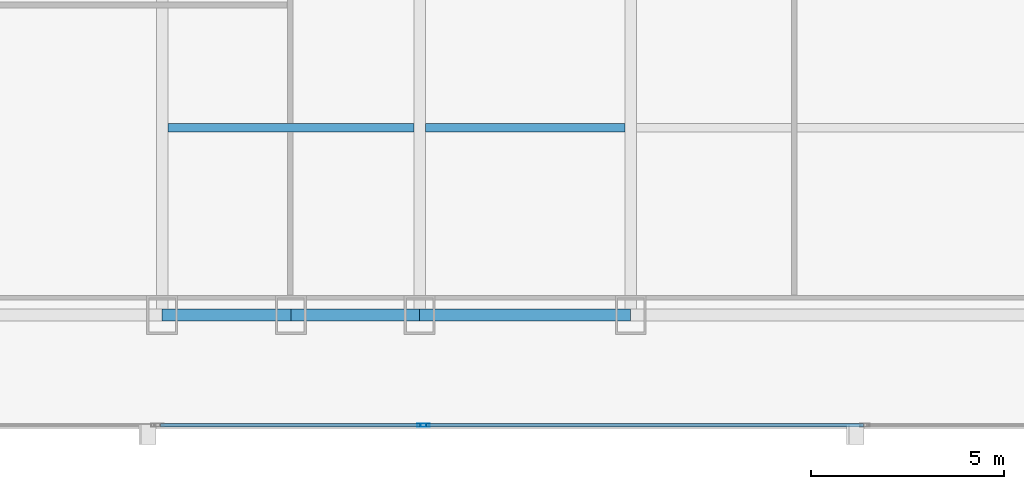
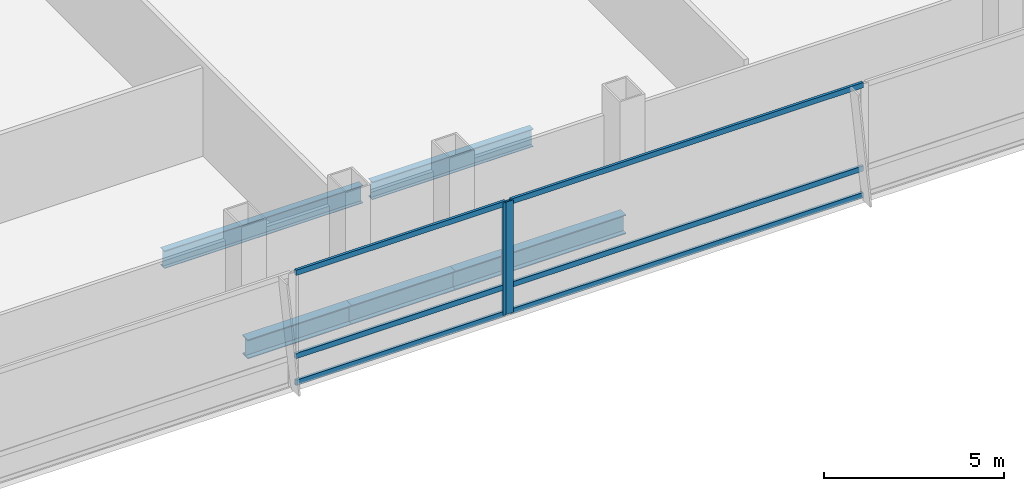
# One storey, part 8 of 35: 8 members, 5 beams, 2 elements without a shape of their own.
"""IFC4 building model written with IfcOpenShell, lengths in metres."""

from ifc_helpers import new_model, si_unit, direction, frame, origin, origin_2d, place, context, subcontext, project, spatial, hollow_rectangle, i_section, extrude, material, material_profile, profile_set, type_object, element, aggregate, save


model = new_model("IFC4")

# Units and contexts
model_context = context("Model", 3, precision=1e-05, world=origin(), true_north=direction((0.0, 1.0)))
body_context = subcontext(model_context, "Body", "Model", "MODEL_VIEW")
ifc_project = project(units=[si_unit("LENGTHUNIT", "METRE"), si_unit("AREAUNIT", "SQUARE_METRE"), si_unit("VOLUMEUNIT", "CUBIC_METRE"), si_unit("PLANEANGLEUNIT", "RADIAN"), si_unit("MASSUNIT", "GRAM", prefix="KILO")], contexts=[model_context])

# Site, building, storey
site_placement = place(None, origin())
site = spatial("IfcSite", under=ifc_project, at=site_placement, CompositionType="ELEMENT")
building_placement = place(site_placement, origin())
building = spatial("IfcBuilding", under=site, at=building_placement, Name="Khoronbel Lancet Exchange", CompositionType="ELEMENT")
storey_placement = place(building_placement, frame((0.0, 0.0, 53.800048828125)))
storey = spatial("IfcBuildingStorey", under=building, at=storey_placement, Name="L12", CompositionType="ELEMENT", Elevation=53.800048828125)

# Beams
ifc_material_1 = material(Name="Steel S355", Category="steel")
ifc_material_profile_1 = material_profile(ifc_material_1, i_section(OverallWidth=0.219970703125, OverallDepth=0.60009765625, WebThickness=0.011962890625, FlangeThickness=0.01904296875, at=origin_2d()), Name="IPE 600")
ifc_profile_set_1 = profile_set([ifc_material_profile_1], Name="Steel S355")
beam_type_1 = type_object("IfcBeamType", Name="BM-BJ1", PredefinedType="JOIST", material=ifc_profile_set_1)
beam_1_placement = place(storey_placement, frame((18.375, 15.0, -0.47998046875), z_axis=(1.0, 0.0, 0.0), x_axis=(0.0, 1.0, 0.0)))
element("IfcBeam", 1, at=beam_1_placement, inside=storey, type_object=beam_type_1, Name="Level L12 secondary composite joist J01", PredefinedType="JOIST", context=body_context, shape_type="SweptSolid", body=[
    extrude(i_section(OverallWidth=0.219970703125, OverallDepth=0.60009765625, WebThickness=0.011962890625, FlangeThickness=0.01904296875, at=origin_2d()), origin(), (0.0, 0.0, 1.0), 6.375),
])
beam_2_placement = place(storey_placement, frame((25.050048828125, 15.0, -0.47998046875), z_axis=(1.0, 0.0, 0.0), x_axis=(0.0, 1.0, 0.0)))
element("IfcBeam", 2, at=beam_2_placement, inside=storey, type_object=beam_type_1, Name="Level L12 secondary composite joist J02", PredefinedType="JOIST", context=body_context, shape_type="SweptSolid", body=[
    extrude(i_section(OverallWidth=0.219970703125, OverallDepth=0.60009765625, WebThickness=0.011962890625, FlangeThickness=0.01904296875, at=origin_2d()), origin(), (0.0, 0.0, 1.0), 5.175048828125),
])
ifc_material_profile_2 = material_profile(ifc_material_1, i_section(OverallWidth=0.300048828125, OverallDepth=0.64990234375, WebThickness=0.01611328125, FlangeThickness=0.031005859375, at=origin_2d()), Name="HEB 650")
ifc_profile_set_2 = profile_set([ifc_material_profile_2], Name="Steel S355")
beam_type_2 = type_object("IfcBeamType", Name="BM-BSP1", PredefinedType="SPANDREL", material=ifc_profile_set_2)
for number, where, z_axis, x_axis, name in (
    (3, (18.22509765625, 10.14990234375, -0.505126953125), (1.0, 0.0, 0.0), (0.0, 1.0, 0.0), "Level L12 perimeter spandrel beam SP02"),
    (4, (21.5625, 10.14990234375, -0.505126953125), (1.0, 0.0, 0.0), (0.0, 1.0, 0.0), "Level L12 perimeter spandrel beam SP03"),
):
    element("IfcBeam", number, at=place(storey_placement, frame(where, z_axis=z_axis, x_axis=x_axis)), inside=storey, type_object=beam_type_2, Name=name, PredefinedType="SPANDREL", context=body_context, shape_type="SweptSolid", body=[
        extrude(i_section(OverallWidth=0.300048828125, OverallDepth=0.64990234375, WebThickness=0.01611328125, FlangeThickness=0.031005859375, at=origin_2d()), origin(), (0.0, 0.0, 1.0), 3.33740234375),
    ])
beam_3_placement = place(storey_placement, frame((24.89990234375, 10.14990234375, -0.505126953125), z_axis=(1.0, 0.0, 0.0), x_axis=(0.0, 1.0, 0.0)))
element("IfcBeam", 5, at=beam_3_placement, inside=storey, type_object=beam_type_2, Name="Level L12 perimeter spandrel beam SP04", PredefinedType="SPANDREL", context=body_context, shape_type="SweptSolid", body=[
    extrude(i_section(OverallWidth=0.300048828125, OverallDepth=0.64990234375, WebThickness=0.01611328125, FlangeThickness=0.031005859375, at=origin_2d()), origin(), (0.0, 0.0, 1.0), 5.47509765625),
])

# Curtain wall, member
ifc_material_2 = material(Name="Low-E Solar Control Insulating Glass", Category="glass")
curtain_wall_type = type_object("IfcCurtainWallType", Name="CW-1", PredefinedType="NOTDEFINED", material=ifc_material_2)
curtain_wall_1_placement = place(storey_placement, origin())
curtain_wall_1 = element("IfcCurtainWall", 6, at=curtain_wall_1_placement, inside=storey, type_object=curtain_wall_type, Name="Unitised curtain wall CW-L12-SWB", PredefinedType="NOTDEFINED")
ifc_material_3 = material(Name="Bronze-Anodised Aluminium 6063-T6", Category="aluminium")
ifc_material_profile_3 = material_profile(ifc_material_3, hollow_rectangle(XDim=0.0849609375, YDim=0.239990234375, WallThickness=0.006103515625, at=origin_2d()), Name="ALU MULLION 85x240")
ifc_profile_set_3 = profile_set([ifc_material_profile_3], Name="Bronze-Anodised Aluminium 6063-T6")
member_type_1 = type_object("IfcMemberType", Name="MEM-CWM1", PredefinedType="MULLION", material=ifc_profile_set_3)
member_1_placement = place(storey_placement, frame((24.95751953125, 7.2900390625, 0.0), z_axis=(0.0, 0.0, 1.0), x_axis=(0.0, 1.0, 0.0)))
member_1 = element("IfcMember", 7, at=member_1_placement, type_object=member_type_1, Name="CW1 mullion 2", PredefinedType="MULLION", context=body_context, shape_type="SweptSolid", body=[
    extrude(hollow_rectangle(XDim=0.0849609375, YDim=0.239990234375, WallThickness=0.006103515625, at=origin_2d()), origin(), (0.0, 0.0, 1.0), 3.820068359375),
])

curtain_wall_2_placement = place(storey_placement, origin())
curtain_wall_2 = element("IfcCurtainWall", 8, at=curtain_wall_2_placement, inside=storey, type_object=curtain_wall_type, Name="Unitised curtain wall CW-L12-SCV", PredefinedType="NOTDEFINED")
member_2_placement = place(storey_placement, frame((25.04248046875, 7.2900390625, 0.0), z_axis=(0.0, 0.0, 1.0), x_axis=(0.0, 1.0, 0.0)))
member_2 = element("IfcMember", 9, at=member_2_placement, type_object=member_type_1, Name="CW1 mullion 1", PredefinedType="MULLION", context=body_context, shape_type="SweptSolid", body=[
    extrude(hollow_rectangle(XDim=0.0849609375, YDim=0.239990234375, WallThickness=0.006103515625, at=origin_2d()), origin(), (0.0, 0.0, 1.0), 3.820068359375),
])

# Member
ifc_material_profile_4 = material_profile(ifc_material_3, hollow_rectangle(XDim=0.0849609375, YDim=0.179931640625, WallThickness=0.0048828125, at=origin_2d()), Name="ALU TRANSOM 85x180")
ifc_profile_set_4 = profile_set([ifc_material_profile_4], Name="Bronze-Anodised Aluminium 6063-T6")
member_type_2 = type_object("IfcMemberType", Name="MEM-CWT1", PredefinedType="USERDEFINED", material=ifc_profile_set_4)
member_3_placement = place(storey_placement, frame((18.18505859375, 7.2900390625, 0.04248046875), z_axis=(1.0, 0.0, 0.0), x_axis=(0.0, 1.0, 0.0)))
member_3 = element("IfcMember", 10, at=member_3_placement, type_object=member_type_2, Name="CW1 transom 1.1", ObjectType="TRANSOM", PredefinedType="USERDEFINED", context=body_context, shape_type="SweptSolid", body=[
    extrude(hollow_rectangle(XDim=0.0849609375, YDim=0.179931640625, WallThickness=0.0048828125, at=origin_2d()), origin(), (0.0, 0.0, 1.0), 6.72998046875),
])

member_4_placement = place(storey_placement, frame((18.18505859375, 7.2900390625, 0.949951171875), z_axis=(1.0, 0.0, 0.0), x_axis=(0.0, 1.0, 0.0)))
member_4 = element("IfcMember", 11, at=member_4_placement, type_object=member_type_2, Name="CW1 transom 1.2", ObjectType="TRANSOM", PredefinedType="USERDEFINED", context=body_context, shape_type="SweptSolid", body=[
    extrude(hollow_rectangle(XDim=0.0849609375, YDim=0.179931640625, WallThickness=0.0048828125, at=origin_2d()), origin(), (0.0, 0.0, 1.0), 6.72998046875),
])

member_5_placement = place(storey_placement, frame((18.18505859375, 7.2900390625, 3.77734375), z_axis=(1.0, 0.0, 0.0), x_axis=(0.0, 1.0, 0.0)))
member_5 = element("IfcMember", 12, at=member_5_placement, type_object=member_type_2, Name="CW1 transom 1.3", ObjectType="TRANSOM", PredefinedType="USERDEFINED", context=body_context, shape_type="SweptSolid", body=[
    extrude(hollow_rectangle(XDim=0.0849609375, YDim=0.179931640625, WallThickness=0.0048828125, at=origin_2d()), origin(), (0.0, 0.0, 1.0), 6.72998046875),
])

aggregate(curtain_wall_1, [member_1, member_3, member_4, member_5])

member_6_placement = place(storey_placement, frame((25.0849609375, 7.2900390625, 0.04248046875), z_axis=(1.0, 0.0, 0.0), x_axis=(0.0, 1.0, 0.0)))
member_6 = element("IfcMember", 13, at=member_6_placement, type_object=member_type_2, Name="CW1 transom 1.1", ObjectType="TRANSOM", PredefinedType="USERDEFINED", context=body_context, shape_type="SweptSolid", body=[
    extrude(hollow_rectangle(XDim=0.0849609375, YDim=0.179931640625, WallThickness=0.0048828125, at=origin_2d()), origin(), (0.0, 0.0, 1.0), 11.322509765625),
])

member_7_placement = place(storey_placement, frame((25.0849609375, 7.2900390625, 0.949951171875), z_axis=(1.0, 0.0, 0.0), x_axis=(0.0, 1.0, 0.0)))
member_7 = element("IfcMember", 14, at=member_7_placement, type_object=member_type_2, Name="CW1 transom 1.2", ObjectType="TRANSOM", PredefinedType="USERDEFINED", context=body_context, shape_type="SweptSolid", body=[
    extrude(hollow_rectangle(XDim=0.0849609375, YDim=0.179931640625, WallThickness=0.0048828125, at=origin_2d()), origin(), (0.0, 0.0, 1.0), 11.322509765625),
])

member_8_placement = place(storey_placement, frame((25.0849609375, 7.2900390625, 3.77734375), z_axis=(1.0, 0.0, 0.0), x_axis=(0.0, 1.0, 0.0)))
member_8 = element("IfcMember", 15, at=member_8_placement, type_object=member_type_2, Name="CW1 transom 1.3", ObjectType="TRANSOM", PredefinedType="USERDEFINED", context=body_context, shape_type="SweptSolid", body=[
    extrude(hollow_rectangle(XDim=0.0849609375, YDim=0.179931640625, WallThickness=0.0048828125, at=origin_2d()), origin(), (0.0, 0.0, 1.0), 11.322509765625),
])

aggregate(curtain_wall_2, [member_2, member_6, member_7, member_8])

save(model, "model.ifc")
